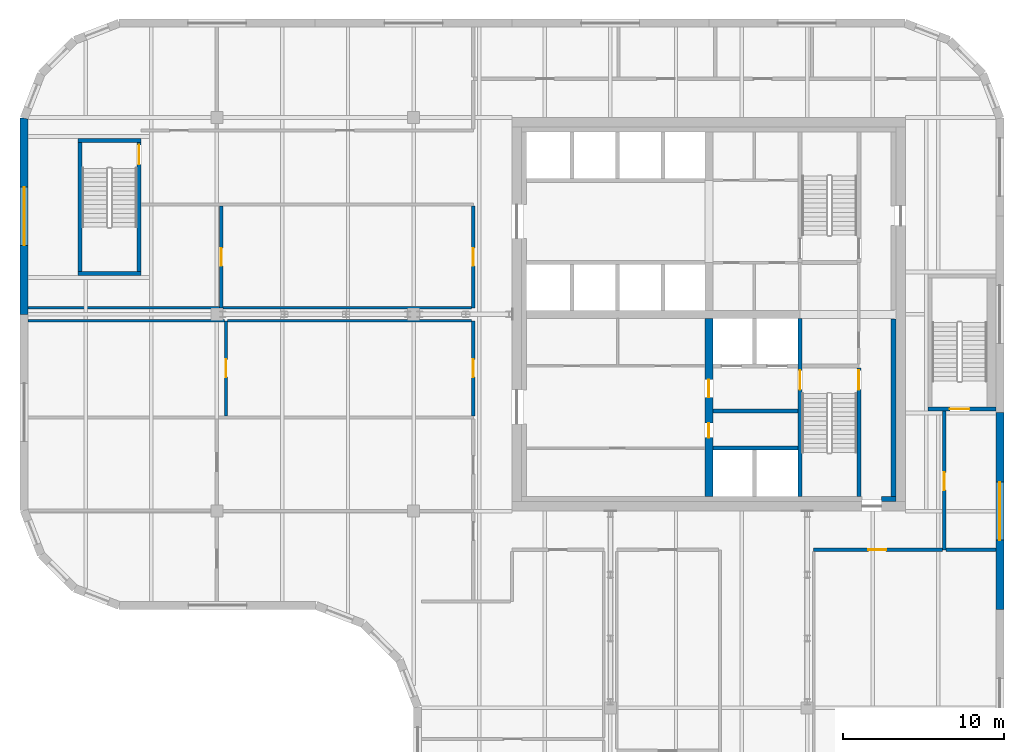
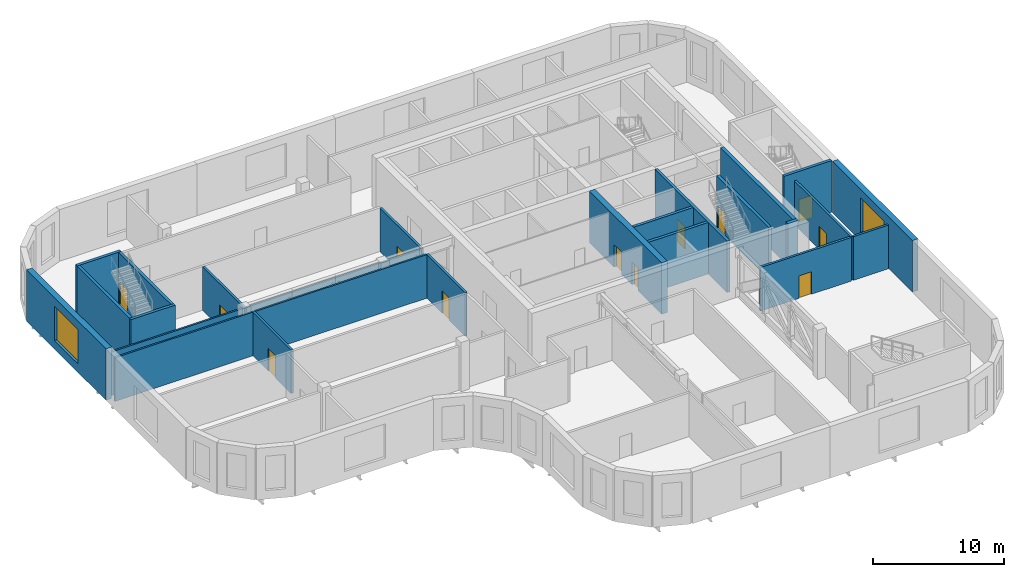
# One storey, part 7 of 12: 25 walls, 12 doors, 2 windows, 14 openings.
"""IFC4 building model written with IfcOpenShell, lengths in metres."""

from ifc_helpers import new_model, si_unit, direction, frame, frame_2d, origin, place, context, subcontext, project, spatial, polyline, rectangle, outline, extrude, faceted_brep, source, transform, mapped, material, layer, layer_set, type_object, element, fill, save


model = new_model("IFC4")

# Units and contexts
model_context = context("Model", 3, precision=1e-05, world=origin(), true_north=direction((0.0, 1.0)))
body_context = subcontext(model_context, "Body", "Model", "MODEL_VIEW")
ifc_project = project(units=[si_unit("LENGTHUNIT", "METRE"), si_unit("AREAUNIT", "SQUARE_METRE"), si_unit("VOLUMEUNIT", "CUBIC_METRE"), si_unit("PLANEANGLEUNIT", "RADIAN"), si_unit("MASSUNIT", "GRAM", prefix="KILO")], contexts=[model_context])

# Site, building, storey
site_placement = place(None, origin())
site = spatial("IfcSite", under=ifc_project, at=site_placement, CompositionType="ELEMENT")
building_placement = place(site_placement, origin())
building = spatial("IfcBuilding", under=site, at=building_placement, Name="Tessera Gate Towers", CompositionType="ELEMENT")
storey_placement = place(building_placement, frame((0.0, 0.0, 150.60009765625)))
storey = spatial("IfcBuildingStorey", under=building, at=storey_placement, Name="L37", CompositionType="ELEMENT", Elevation=150.60009765625)

# Walls
ifc_material_1 = material(Name="Gypsum board on steel studs, mineral wool", Category="steel")
ifc_layer_1 = layer(ifc_material_1, 0.14990234375)
ifc_layer_set_1 = layer_set([ifc_layer_1], Name="CHASE WALL 150")
wall_type_1 = type_object("IfcWallType", Name="CHASE WALL 150", PredefinedType="PARTITIONING", material=ifc_layer_set_1)
wall_1_placement = place(storey_placement, frame((0.5, 36.199951171875, 0.0), z_axis=(0.0, 0.0, 1.0), x_axis=(1.0, 0.0, 0.0)))
element("IfcWall", 1, at=wall_1_placement, inside=storey, type_object=wall_type_1, Name="T1-L37-PW-027", PredefinedType="PARTITIONING", context=body_context, shape_type="SweptSolid", body=[
    extrude(rectangle(XDim=12.174072265625, YDim=0.14990234375, at=frame_2d((6.0869140625, 0.0))), origin(), (0.0, 0.0, 1.0), 4.06689453125),
])
wall_2_placement = place(storey_placement, frame((12.8759765625, 36.199951171875, 0.0), z_axis=(0.0, 0.0, 1.0), x_axis=(1.0, 0.0, 0.0)))
element("IfcWall", 2, at=wall_2_placement, inside=storey, type_object=wall_type_1, Name="T1-L37-PW-028", PredefinedType="PARTITIONING", context=body_context, shape_type="SweptSolid", body=[
    extrude(rectangle(XDim=15.123046875, YDim=0.14990234375, at=frame_2d((7.5615234375, 0.0))), origin(), (0.0, 0.0, 1.0), 4.06689453125),
])
wall_3_placement = place(storey_placement, frame((0.5, 37.0, 0.0), z_axis=(0.0, 0.0, 1.0), x_axis=(1.0, 0.0, 0.0)))
element("IfcWall", 3, at=wall_3_placement, inside=storey, type_object=wall_type_1, Name="T1-L37-PW-029", PredefinedType="PARTITIONING", context=body_context, shape_type="SweptSolid", body=[
    extrude(rectangle(XDim=11.8740234375, YDim=0.14990234375, at=frame_2d((5.93701171875, 0.0))), origin(), (0.0, 0.0, 1.0), 4.06689453125),
])
wall_4_placement = place(storey_placement, frame((12.575927734375, 37.0, 0.0), z_axis=(0.0, 0.0, 1.0), x_axis=(1.0, 0.0, 0.0)))
element("IfcWall", 4, at=wall_4_placement, inside=storey, type_object=wall_type_1, Name="T1-L37-PW-031", PredefinedType="PARTITIONING", context=body_context, shape_type="SweptSolid", body=[
    extrude(rectangle(XDim=15.423095703125, YDim=0.14990234375, at=frame_2d((7.71142578125, 0.0))), origin(), (0.0, 0.0, 1.0), 4.06689453125),
])

# Wall, opening, door
ifc_material_2 = material(Name="Concrete C40/50", Category="concrete")
ifc_layer_2 = layer(ifc_material_2, 0.25)
ifc_layer_set_2 = layer_set([ifc_layer_2], Name="CORE ENCLOSURE WALL 250")
wall_type_2 = type_object("IfcWallType", Name="CORE ENCLOSURE WALL 250", PredefinedType="SOLIDWALL", material=ifc_layer_set_2)
wall_5_placement = place(storey_placement, frame((48.35009765625, 36.35009765625, 0.0), z_axis=(0.0, 0.0, 1.0), x_axis=(0.0, -1.0, 0.0)))
wall_5 = element("IfcWall", 5, at=wall_5_placement, inside=storey, type_object=wall_type_2, Name="L37 shaft and stair enclosure wall", PredefinedType="SOLIDWALL", context=body_context, shape_type="SweptSolid", body=[
    extrude(rectangle(XDim=11.050048828125, YDim=0.25, at=frame_2d((5.52490234375, 0.0))), origin(), (0.0, 0.0, 1.0), 4.7998046875),
])
shared_shape_1 = source(origin(), body_context, "Body", "SweptSolid", [
    extrude(rectangle(XDim=1.199951171875, YDim=2.10009765625, at=frame_2d((0.60009765625, 1.050048828125))), frame((0.0, 0.135009765625, 0.0), z_axis=(0.0, -1.0, 0.0), x_axis=(1.0, 0.0, 0.0)), (0.0, 0.0, 1.0), 0.27001953125),
])
opening_1_placement = place(wall_5_placement, frame((3.22509765625, 0.0, 0.0)))
opening_1 = element("IfcOpeningElement", 6, at=opening_1_placement, cuts=wall_5, Name="Opening SD-ST1-1", PredefinedType="OPENING", context=body_context, shape_type="MappedRepresentation", body=[
    mapped(shared_shape_1, transform((0.0, 0.0, 0.0), scale=1.0)),
])
ifc_material_3 = material(Name="Hollow steel fire door", Category="steel")
door_type_1 = type_object("IfcDoorType", Name="CORE DOOR SD 1200x2100", OperationType="NOTDEFINED", PredefinedType="DOOR", material=ifc_material_3)
shared_shape_2 = source(origin(), body_context, "Body", "SweptSolid", [
    extrude(rectangle(XDim=1.199951171875, YDim=2.10009765625, at=frame_2d((0.60009765625, 1.050048828125))), frame((0.0, 0.02490234375, 0.0), z_axis=(0.0, -1.0, 0.0), x_axis=(1.0, 0.0, 0.0)), (0.0, 0.0, 1.0), 0.050048828125),
])
door_1_placement = place(opening_1_placement, origin())
door_1 = element("IfcDoor", 7, at=door_1_placement, inside=storey, type_object=door_type_1, Name="Stair door", OperationType="SINGLE_SWING_LEFT", OverallHeight=2.10009765625, OverallWidth=1.199951171875, PredefinedType="DOOR", context=body_context, shape_type="MappedRepresentation", body=[
    mapped(shared_shape_2, transform((0.0, 0.0, 0.0), scale=1.0)),
])
fill(opening_1, door_1)

wall_6_placement = place(storey_placement, frame((52.0, 25.300048828125, 0.0), z_axis=(0.0, 0.0, 1.0), x_axis=(0.0, 1.0, 0.0)))
wall_6 = element("IfcWall", 8, at=wall_6_placement, inside=storey, type_object=wall_type_2, Name="L37 shaft and stair enclosure wall", PredefinedType="SOLIDWALL", context=body_context, shape_type="SweptSolid", body=[
    extrude(rectangle(XDim=7.974853515625, YDim=0.25, at=frame_2d((3.9873046875, 0.0))), origin(), (0.0, 0.0, 1.0), 4.7998046875),
])
opening_2_placement = place(wall_6_placement, frame((6.625, 0.0, 0.0)))
opening_2 = element("IfcOpeningElement", 9, at=opening_2_placement, cuts=wall_6, Name="Opening SD-ST1-2", PredefinedType="OPENING", context=body_context, shape_type="MappedRepresentation", body=[
    mapped(shared_shape_1, transform((0.0, 0.0, 0.0), scale=1.0)),
])
door_2_placement = place(opening_2_placement, origin())
door_2 = element("IfcDoor", 10, at=door_2_placement, inside=storey, type_object=door_type_1, Name="Stair door", OperationType="SINGLE_SWING_RIGHT", OverallHeight=2.10009765625, OverallWidth=1.199951171875, PredefinedType="DOOR", context=body_context, shape_type="MappedRepresentation", body=[
    mapped(shared_shape_2, transform((0.0, 0.0, 0.0), scale=1.0)),
])
fill(opening_2, door_2)

# Walls
for number, where, z_axis, x_axis, name in (
    (11, (42.949951171875, 28.300048828125, 0.0), (0.0, 0.0, 1.0), (1.0, 0.0, 0.0), "L37 shaft and stair enclosure wall"),
    (12, (42.949951171875, 30.60009765625, 0.0), (0.0, 0.0, 1.0), (1.0, 0.0, 0.0), "L37 shaft and stair enclosure wall"),
):
    element("IfcWall", number, at=place(storey_placement, frame(where, z_axis=z_axis, x_axis=x_axis)), inside=storey, type_object=wall_type_2, Name=name, PredefinedType="SOLIDWALL", context=body_context, shape_type="SweptSolid", body=[
        extrude(rectangle(XDim=5.275146484375, YDim=0.25, at=frame_2d((2.6376953125, 0.0))), origin(), (0.0, 0.0, 1.0), 4.7998046875),
    ])
wall_7_placement = place(storey_placement, frame((7.5, 39.125, 0.0), z_axis=(0.0, 0.0, 1.0), x_axis=(-1.0, 0.0, 0.0)))
element("IfcWall", 13, at=wall_7_placement, inside=storey, type_object=wall_type_2, Name="L37 ST3 enclosure wall", PredefinedType="SOLIDWALL", context=body_context, shape_type="SweptSolid", body=[
    extrude(rectangle(XDim=3.89990234375, YDim=0.25, at=frame_2d((1.949951171875, 0.0))), origin(), (0.0, 0.0, 1.0), 4.7998046875),
])
wall_8_placement = place(storey_placement, frame((3.72509765625, 39.25, 0.0), z_axis=(0.0, 0.0, 1.0), x_axis=(0.0, 1.0, 0.0)))
element("IfcWall", 14, at=wall_8_placement, inside=storey, type_object=wall_type_2, Name="L37 ST3 enclosure wall", PredefinedType="SOLIDWALL", context=body_context, shape_type="SweptSolid", body=[
    extrude(rectangle(XDim=8.0, YDim=0.25, at=frame_2d((4.0, 0.0))), origin(), (0.0, 0.0, 1.0), 4.7998046875),
])
wall_9_placement = place(storey_placement, frame((3.60009765625, 47.375, 0.0), z_axis=(0.0, 0.0, 1.0), x_axis=(1.0, 0.0, 0.0)))
element("IfcWall", 15, at=wall_9_placement, inside=storey, type_object=wall_type_2, Name="L37 ST3 enclosure wall", PredefinedType="SOLIDWALL", context=body_context, shape_type="SweptSolid", body=[
    extrude(rectangle(XDim=3.89990234375, YDim=0.25, at=frame_2d((1.949951171875, 0.0))), origin(), (0.0, 0.0, 1.0), 4.7998046875),
])

# Wall, opening, door
wall_10_placement = place(storey_placement, frame((7.375, 47.25, 0.0), z_axis=(0.0, 0.0, 1.0), x_axis=(0.0, -1.0, 0.0)))
wall_10 = element("IfcWall", 16, at=wall_10_placement, inside=storey, type_object=wall_type_2, Name="L37 ST3 enclosure wall", PredefinedType="SOLIDWALL", context=body_context, shape_type="SweptSolid", body=[
    extrude(rectangle(XDim=8.0, YDim=0.25, at=frame_2d((4.0, 0.0))), origin(), (0.0, 0.0, 1.0), 4.7998046875),
])
opening_3_placement = place(wall_10_placement, frame((0.14990234375, 0.0, 0.0)))
opening_3 = element("IfcOpeningElement", 17, at=opening_3_placement, cuts=wall_10, Name="Opening SD-ST3-1", PredefinedType="OPENING", context=body_context, shape_type="MappedRepresentation", body=[
    mapped(shared_shape_1, transform((0.0, 0.0, 0.0), scale=1.0)),
])
door_3_placement = place(opening_3_placement, origin())
door_3 = element("IfcDoor", 18, at=door_3_placement, inside=storey, type_object=door_type_1, Name="Stair door", OperationType="SINGLE_SWING_LEFT", OverallHeight=2.10009765625, OverallWidth=1.199951171875, PredefinedType="DOOR", context=body_context, shape_type="MappedRepresentation", body=[
    mapped(shared_shape_2, transform((0.0, 0.0, 0.0), scale=1.0)),
])
fill(opening_3, door_3)

wall_11_placement = place(storey_placement, frame((60.5, 30.72509765625, 0.0), z_axis=(0.0, 0.0, 1.0), x_axis=(-1.0, 0.0, 0.0)))
wall_11 = element("IfcWall", 19, at=wall_11_placement, inside=storey, type_object=wall_type_2, Name="L37 ST5 enclosure wall", PredefinedType="SOLIDWALL", context=body_context, shape_type="SweptSolid", body=[
    extrude(rectangle(XDim=4.199951171875, YDim=0.25, at=frame_2d((2.10009765625, 0.0))), origin(), (0.0, 0.0, 1.0), 4.7998046875),
])
opening_4_placement = place(wall_11_placement, frame((1.64990234375, 0.0, 0.0)))
opening_4 = element("IfcOpeningElement", 20, at=opening_4_placement, cuts=wall_11, Name="Opening SD-ST5-1", PredefinedType="OPENING", context=body_context, shape_type="MappedRepresentation", body=[
    mapped(shared_shape_1, transform((0.0, 0.0, 0.0), scale=1.0)),
])
door_4_placement = place(opening_4_placement, origin())
door_4 = element("IfcDoor", 21, at=door_4_placement, inside=storey, type_object=door_type_1, Name="Stair door", OperationType="SINGLE_SWING_RIGHT", OverallHeight=2.10009765625, OverallWidth=1.199951171875, PredefinedType="DOOR", context=body_context, shape_type="MappedRepresentation", body=[
    mapped(shared_shape_2, transform((0.0, 0.0, 0.0), scale=1.0)),
])
fill(opening_4, door_4)

# Wall, openings, doors
ifc_material_4 = material(Name="Concrete C50/60", Category="concrete")
ifc_layer_3 = layer(ifc_material_4, 0.5)
ifc_layer_set_3 = layer_set([ifc_layer_3], Name="CORE SPINE WALL 500 C50/60")
wall_type_3 = type_object("IfcWallType", Name="CORE SPINE WALL 500 C50/60", PredefinedType="SHEAR", material=ifc_layer_set_3)
wall_12_placement = place(storey_placement, frame((42.699951171875, 36.35009765625, 0.0), z_axis=(0.0, 0.0, 1.0), x_axis=(0.0, -1.0, 0.0)))
wall_12 = element("IfcWall", 22, at=wall_12_placement, inside=storey, type_object=wall_type_3, Name="Core wall spine L37", PredefinedType="SHEAR", context=body_context, shape_type="SweptSolid", body=[
    extrude(rectangle(XDim=11.050048828125, YDim=0.5, at=frame_2d((5.52490234375, 0.0))), origin(), (0.0, 0.0, 1.0), 4.7998046875),
])
shared_shape_3 = source(origin(), body_context, "Body", "SweptSolid", [
    extrude(rectangle(XDim=0.89990234375, YDim=2.10009765625, at=frame_2d((0.449951171875, 1.050048828125))), frame((0.0, 0.260009765625, 0.0), z_axis=(0.0, -1.0, 0.0), x_axis=(1.0, 0.0, 0.0)), (0.0, 0.0, 1.0), 0.52001953125),
])
opening_5_placement = place(wall_12_placement, frame((6.5, 0.0, 0.0)))
opening_5 = element("IfcOpeningElement", 23, at=opening_5_placement, cuts=wall_12, Name="Opening RD-T1-24-05", PredefinedType="OPENING", context=body_context, shape_type="MappedRepresentation", body=[
    mapped(shared_shape_3, transform((0.0, 0.0, 0.0), scale=1.0)),
])
shared_shape_4 = source(origin(), body_context, "Body", "SweptSolid", [
    extrude(rectangle(XDim=1.10009765625, YDim=2.10009765625, at=frame_2d((0.550048828125, 1.050048828125))), frame((0.0, 0.260009765625, 0.0), z_axis=(0.0, -1.0, 0.0), x_axis=(1.0, 0.0, 0.0)), (0.0, 0.0, 1.0), 0.52001953125),
])
opening_6_placement = place(wall_12_placement, frame((3.800048828125, 0.0, 0.0)))
opening_6 = element("IfcOpeningElement", 24, at=opening_6_placement, cuts=wall_12, Name="Opening FD-T1-24-06", PredefinedType="OPENING", context=body_context, shape_type="MappedRepresentation", body=[
    mapped(shared_shape_4, transform((0.0, 0.0, 0.0), scale=1.0)),
])
ifc_material_5 = material(Name="Hollow steel fire door", Category="steel")
door_type_2 = type_object("IfcDoorType", Name="CORE DOOR RD 900x2100", OperationType="NOTDEFINED", PredefinedType="DOOR", material=ifc_material_5)
shared_shape_5 = source(origin(), body_context, "Body", "SweptSolid", [
    extrude(rectangle(XDim=0.89990234375, YDim=2.10009765625, at=frame_2d((0.449951171875, 1.050048828125))), frame((0.0, 0.02490234375, 0.0), z_axis=(0.0, -1.0, 0.0), x_axis=(1.0, 0.0, 0.0)), (0.0, 0.0, 1.0), 0.050048828125),
])
door_5_placement = place(opening_5_placement, origin())
door_5 = element("IfcDoor", 25, at=door_5_placement, inside=storey, type_object=door_type_2, Name="Core room door", OperationType="SINGLE_SWING_RIGHT", OverallHeight=2.10009765625, OverallWidth=0.89990234375, PredefinedType="DOOR", context=body_context, shape_type="MappedRepresentation", body=[
    mapped(shared_shape_5, transform((0.0, 0.0, 0.0), scale=1.0)),
])
fill(opening_5, door_5)
ifc_material_6 = material(Name="Hollow steel fire door", Category="steel")
door_type_3 = type_object("IfcDoorType", Name="CORE DOOR FD 1100x2100", OperationType="NOTDEFINED", PredefinedType="DOOR", material=ifc_material_6)
shared_shape_6 = source(origin(), body_context, "Body", "SweptSolid", [
    extrude(rectangle(XDim=1.10009765625, YDim=2.10009765625, at=frame_2d((0.550048828125, 1.050048828125))), frame((0.0, 0.02490234375, 0.0), z_axis=(0.0, -1.0, 0.0), x_axis=(1.0, 0.0, 0.0)), (0.0, 0.0, 1.0), 0.050048828125),
])
door_6_placement = place(opening_6_placement, origin())
door_6 = element("IfcDoor", 26, at=door_6_placement, inside=storey, type_object=door_type_3, Name="Fire-fighting lobby door", OperationType="SINGLE_SWING_LEFT", OverallHeight=2.10009765625, OverallWidth=1.10009765625, PredefinedType="DOOR", context=body_context, shape_type="MappedRepresentation", body=[
    mapped(shared_shape_6, transform((0.0, 0.0, 0.0), scale=1.0)),
])
fill(opening_6, door_6)

# Walls
ifc_material_7 = material(Name="Concrete C50/60", Category="concrete")
ifc_layer_4 = layer(ifc_material_7, 0.300048828125)
ifc_layer_set_4 = layer_set([ifc_layer_4], Name="CORE WALL THICKENING 300")
wall_type_4 = type_object("IfcWallType", Name="CORE WALL THICKENING 300", PredefinedType="SOLIDWALL", material=ifc_layer_set_4)
wall_13_placement = place(storey_placement, frame((53.39990234375, 25.14990234375, 0.0), z_axis=(0.0, 0.0, 1.0), x_axis=(1.0, 0.0, 0.0)))
element("IfcWall", 27, at=wall_13_placement, inside=storey, type_object=wall_type_4, Name="Core wall thickening S L37", PredefinedType="SOLIDWALL", context=body_context, shape_type="SweptSolid", body=[
    extrude(rectangle(XDim=0.900146484375, YDim=0.300048828125, at=frame_2d((0.4501953125, 0.0))), origin(), (0.0, 0.0, 1.0), 4.7998046875),
])
wall_14_placement = place(storey_placement, frame((54.14990234375, 25.300048828125, 0.0), z_axis=(0.0, 0.0, 1.0), x_axis=(0.0, 1.0, 0.0)))
element("IfcWall", 28, at=wall_14_placement, inside=storey, type_object=wall_type_4, Name="Core wall thickening E L37", PredefinedType="SOLIDWALL", context=body_context, shape_type="SweptSolid", body=[
    extrude(rectangle(XDim=11.02001953125, YDim=0.300048828125, at=frame_2d((5.510009765625, 0.0))), origin(), (0.0, 0.0, 1.0), 4.7998046875),
])

# Wall, opening, door
ifc_material_8 = material(Name="Concrete masonry unit", Category="masonry")
ifc_layer_5 = layer(ifc_material_8, 0.199951171875)
ifc_layer_set_5 = layer_set([ifc_layer_5], Name="PLANT WALL 200")
wall_type_5 = type_object("IfcWallType", Name="PLANT WALL 200", PredefinedType="PARTITIONING", material=ifc_layer_set_5)
wall_15_placement = place(storey_placement, frame((57.198974609375, 22.0, 0.0), z_axis=(0.0, 0.0, 1.0), x_axis=(-1.0, 0.0, 0.0)))
wall_15 = element("IfcWall", 29, at=wall_15_placement, inside=storey, type_object=wall_type_5, Name="T1-L37-PW-016", PredefinedType="PARTITIONING", context=body_context, shape_type="SweptSolid", body=[
    extrude(rectangle(XDim=7.9990234375, YDim=0.199951171875, at=frame_2d((3.99951171875, 0.0))), origin(), (0.0, 0.0, 1.0), 4.06689453125),
])
shared_shape_7 = source(origin(), body_context, "Body", "SweptSolid", [
    extrude(rectangle(XDim=1.10009765625, YDim=2.10009765625, at=frame_2d((0.550048828125, 1.050048828125))), frame((0.0, 0.10986328125, 0.0), z_axis=(0.0, -1.0, 0.0), x_axis=(1.0, 0.0, 0.0)), (0.0, 0.0, 1.0), 0.219970703125),
])
opening_7_placement = place(wall_15_placement, frame((3.4990234375, 0.0, 0.0)))
opening_7 = element("IfcOpeningElement", 30, at=opening_7_placement, cuts=wall_15, Name="Opening D5110FD90-A31-15", PredefinedType="OPENING", context=body_context, shape_type="MappedRepresentation", body=[
    mapped(shared_shape_7, transform((0.0, 0.0, 0.0), scale=1.0)),
])
ifc_material_9 = material(Name="Timber door leaf in steel frame", Category="steel")
door_type_4 = type_object("IfcDoorType", Name="PLANT DOOR 1100 FD90", OperationType="NOTDEFINED", PredefinedType="DOOR", material=ifc_material_9)
door_7_placement = place(opening_7_placement, origin())
door_7 = element("IfcDoor", 31, at=door_7_placement, inside=storey, type_object=door_type_4, Name="T1-L37-PD-015", OperationType="SINGLE_SWING_RIGHT", OverallHeight=2.10009765625, OverallWidth=1.10009765625, PredefinedType="DOOR", context=body_context, shape_type="MappedRepresentation", body=[
    mapped(shared_shape_6, transform((0.0, 0.0, 0.0), scale=1.0)),
])
fill(opening_7, door_7)

wall_16_placement = place(storey_placement, frame((57.300048828125, 30.60009765625, 0.0), z_axis=(0.0, 0.0, 1.0), x_axis=(0.0, -1.0, 0.0)))
wall_16 = element("IfcWall", 32, at=wall_16_placement, inside=storey, type_object=wall_type_5, Name="T1-L37-PW-017", PredefinedType="PARTITIONING", context=body_context, shape_type="SweptSolid", body=[
    extrude(rectangle(XDim=8.60009765625, YDim=0.199951171875, at=frame_2d((4.300048828125, 0.0))), origin(), (0.0, 0.0, 1.0), 4.06689453125),
])
opening_8_placement = place(wall_16_placement, frame((3.800048828125, 0.0, 0.0)))
opening_8 = element("IfcOpeningElement", 33, at=opening_8_placement, cuts=wall_16, Name="Opening D5110FD90-A31-16", PredefinedType="OPENING", context=body_context, shape_type="MappedRepresentation", body=[
    mapped(shared_shape_7, transform((0.0, 0.0, 0.0), scale=1.0)),
])
door_8_placement = place(opening_8_placement, origin())
door_8 = element("IfcDoor", 34, at=door_8_placement, inside=storey, type_object=door_type_4, Name="T1-L37-PD-016", OperationType="SINGLE_SWING_RIGHT", OverallHeight=2.10009765625, OverallWidth=1.10009765625, PredefinedType="DOOR", context=body_context, shape_type="MappedRepresentation", body=[
    mapped(shared_shape_6, transform((0.0, 0.0, 0.0), scale=1.0)),
])
fill(opening_8, door_8)

# Wall
wall_17_placement = place(storey_placement, frame((57.40087890625, 22.0, 0.0), z_axis=(0.0, 0.0, 1.0), x_axis=(1.0, 0.0, 0.0)))
element("IfcWall", 35, at=wall_17_placement, inside=storey, type_object=wall_type_5, Name="T1-L37-PW-018", PredefinedType="PARTITIONING", context=body_context, shape_type="SweptSolid", body=[
    extrude(rectangle(XDim=3.09912109375, YDim=0.199951171875, at=frame_2d((1.549560546875, 0.0))), origin(), (0.0, 0.0, 1.0), 4.06689453125),
])

# Wall, opening, door
wall_18_placement = place(storey_placement, frame((12.77490234375, 30.301025390625, 0.0), z_axis=(0.0, 0.0, 1.0), x_axis=(0.0, 1.0, 0.0)))
wall_18 = element("IfcWall", 36, at=wall_18_placement, inside=storey, type_object=wall_type_5, Name="T1-L37-PW-025", PredefinedType="PARTITIONING", context=body_context, shape_type="SweptSolid", body=[
    extrude(rectangle(XDim=5.89892578125, YDim=0.199951171875, at=frame_2d((2.949462890625, 0.0))), origin(), (0.0, 0.0, 1.0), 4.06689453125),
])
opening_9_placement = place(wall_18_placement, frame((2.39990234375, 0.0, 0.0)))
opening_9 = element("IfcOpeningElement", 37, at=opening_9_placement, cuts=wall_18, Name="Opening D5110FD90-A31-08", PredefinedType="OPENING", context=body_context, shape_type="MappedRepresentation", body=[
    mapped(shared_shape_7, transform((0.0, 0.0, 0.0), scale=1.0)),
])
door_9_placement = place(opening_9_placement, origin())
door_9 = element("IfcDoor", 38, at=door_9_placement, inside=storey, type_object=door_type_4, Name="T1-L37-PD-008", OperationType="SINGLE_SWING_LEFT", OverallHeight=2.10009765625, OverallWidth=1.10009765625, PredefinedType="DOOR", context=body_context, shape_type="MappedRepresentation", body=[
    mapped(shared_shape_6, transform((0.0, 0.0, 0.0), scale=1.0)),
])
fill(opening_9, door_9)

wall_19_placement = place(storey_placement, frame((28.10009765625, 30.301025390625, 0.0), z_axis=(0.0, 0.0, 1.0), x_axis=(0.0, 1.0, 0.0)))
wall_19 = element("IfcWall", 39, at=wall_19_placement, inside=storey, type_object=wall_type_5, Name="T1-L37-PW-026", PredefinedType="PARTITIONING", context=body_context, shape_type="SweptSolid", body=[
    extrude(rectangle(XDim=5.89892578125, YDim=0.199951171875, at=frame_2d((2.949462890625, 0.0))), origin(), (0.0, 0.0, 1.0), 4.06689453125),
])
opening_10_placement = place(wall_19_placement, frame((2.39990234375, 0.0, 0.0)))
opening_10 = element("IfcOpeningElement", 40, at=opening_10_placement, cuts=wall_19, Name="Opening D5110FD90-A31-07", PredefinedType="OPENING", context=body_context, shape_type="MappedRepresentation", body=[
    mapped(shared_shape_7, transform((0.0, 0.0, 0.0), scale=1.0)),
])
door_10_placement = place(opening_10_placement, origin())
door_10 = element("IfcDoor", 41, at=door_10_placement, inside=storey, type_object=door_type_4, Name="T1-L37-PD-007", OperationType="SINGLE_SWING_LEFT", OverallHeight=2.10009765625, OverallWidth=1.10009765625, PredefinedType="DOOR", context=body_context, shape_type="MappedRepresentation", body=[
    mapped(shared_shape_6, transform((0.0, 0.0, 0.0), scale=1.0)),
])
fill(opening_10, door_10)

wall_20_placement = place(storey_placement, frame((12.47509765625, 37.0, 0.0), z_axis=(0.0, 0.0, 1.0), x_axis=(0.0, 1.0, 0.0)))
wall_20 = element("IfcWall", 42, at=wall_20_placement, inside=storey, type_object=wall_type_5, Name="T1-L37-PW-030", PredefinedType="PARTITIONING", context=body_context, shape_type="SweptSolid", body=[
    extrude(rectangle(XDim=6.299072265625, YDim=0.199951171875, at=frame_2d((3.1494140625, 0.0))), origin(), (0.0, 0.0, 1.0), 4.06689453125),
])
opening_11_placement = place(wall_20_placement, frame((2.60009765625, 0.0, 0.0)))
opening_11 = element("IfcOpeningElement", 43, at=opening_11_placement, cuts=wall_20, Name="Opening D5110FD90-A31-12", PredefinedType="OPENING", context=body_context, shape_type="MappedRepresentation", body=[
    mapped(shared_shape_7, transform((0.0, 0.0, 0.0), scale=1.0)),
])
door_11_placement = place(opening_11_placement, origin())
door_11 = element("IfcDoor", 44, at=door_11_placement, inside=storey, type_object=door_type_4, Name="T1-L37-PD-012", OperationType="SINGLE_SWING_LEFT", OverallHeight=2.10009765625, OverallWidth=1.10009765625, PredefinedType="DOOR", context=body_context, shape_type="MappedRepresentation", body=[
    mapped(shared_shape_6, transform((0.0, 0.0, 0.0), scale=1.0)),
])
fill(opening_11, door_11)

wall_21_placement = place(storey_placement, frame((28.10009765625, 37.0, 0.0), z_axis=(0.0, 0.0, 1.0), x_axis=(0.0, 1.0, 0.0)))
wall_21 = element("IfcWall", 45, at=wall_21_placement, inside=storey, type_object=wall_type_5, Name="T1-L37-PW-032", PredefinedType="PARTITIONING", context=body_context, shape_type="SweptSolid", body=[
    extrude(rectangle(XDim=6.299072265625, YDim=0.199951171875, at=frame_2d((3.1494140625, 0.0))), origin(), (0.0, 0.0, 1.0), 4.06689453125),
])
opening_12_placement = place(wall_21_placement, frame((2.60009765625, 0.0, 0.0)))
opening_12 = element("IfcOpeningElement", 46, at=opening_12_placement, cuts=wall_21, Name="Opening D5110FD90-A31-11", PredefinedType="OPENING", context=body_context, shape_type="MappedRepresentation", body=[
    mapped(shared_shape_7, transform((0.0, 0.0, 0.0), scale=1.0)),
])
door_12_placement = place(opening_12_placement, origin())
door_12 = element("IfcDoor", 47, at=door_12_placement, inside=storey, type_object=door_type_4, Name="T1-L37-PD-011", OperationType="SINGLE_SWING_LEFT", OverallHeight=2.10009765625, OverallWidth=1.10009765625, PredefinedType="DOOR", context=body_context, shape_type="MappedRepresentation", body=[
    mapped(shared_shape_6, transform((0.0, 0.0, 0.0), scale=1.0)),
])
fill(opening_12, door_12)

# Wall, opening, window
ifc_material_10 = material(Name="Precast concrete C60/75 white", Category="concrete")
ifc_layer_6 = layer(ifc_material_10, 0.5)
ifc_layer_set_6 = layer_set([ifc_layer_6], Name="RB1 ring band panel")
wall_type_6 = type_object("IfcWallType", Name="RB1 ring band panel", PredefinedType="SOLIDWALL", material=ifc_layer_set_6)
shared_shape_8 = source(origin(), body_context, "Body", "Brep", [
    faceted_brep([(0.0, -0.25, 0.0), (12.153564453125, -0.25, 0.0), (12.153564453125, -0.25, 4.7998046875), (0.0, -0.25, 4.7998046875), (0.046630859375, 0.25, 4.7998046875), (12.153564453125, 0.25, 4.7998046875), (12.153564453125, 0.25, 0.0), (0.046630859375, 0.25, 0.0), (0.0, 0.0, 0.0), (0.0, 0.0, 4.7998046875)], [[[0, 1, 2, 3]], [[4, 5, 6, 7]], [[7, 6, 1, 0, 8]], [[5, 4, 9, 3, 2]], [[8, 0, 3, 9]], [[7, 8, 9, 4]], [[1, 6, 5, 2]]]),
])
wall_22_placement = place(storey_placement, frame((0.25, 48.75341796875, 0.0), z_axis=(0.0, 0.0, 1.0), x_axis=(0.0, -1.0, 0.0)))
wall_22 = element("IfcWall", 48, at=wall_22_placement, inside=storey, type_object=wall_type_6, Name="Ring band panel T1 RB1-0052", PredefinedType="SOLIDWALL", context=body_context, shape_type="MappedRepresentation", body=[
    mapped(shared_shape_8, transform((0.0, 0.0, 0.0), scale=1.0)),
])
shared_shape_9 = source(origin(), body_context, "Body", "SweptSolid", [
    extrude(outline(polyline([(4.276611328125, 0.7998046875), (7.876708984375, 0.7998046875), (7.876708984375, 4.0), (4.276611328125, 4.0), (4.276611328125, 0.7998046875)])), frame((0.0, 0.260009765625, 0.0), z_axis=(0.0, -1.0, 0.0), x_axis=(1.0, 0.0, 0.0)), (0.0, 0.0, 1.0), 0.52001953125),
])
opening_13_placement = place(wall_22_placement, origin())
opening_13 = element("IfcOpeningElement", 49, at=opening_13_placement, cuts=wall_22, Name="Opening T1-WN-LV1-0052", PredefinedType="OPENING", context=body_context, shape_type="MappedRepresentation", body=[
    mapped(shared_shape_9, transform((0.0, 0.0, 0.0), scale=1.0)),
])
ifc_material_11 = material(Name="Aluminium louvre", Category="aluminium")
ifc_layer_7 = layer(ifc_material_11, 0.06005859375)
ifc_layer_set_7 = layer_set([ifc_layer_7], Name="LV1 louvre")
window_type = type_object("IfcWindowType", Name="LV1 louvre", PartitioningType="USERDEFINED", PredefinedType="WINDOW", material=ifc_layer_set_7)
shared_shape_10 = source(origin(), body_context, "Body", "SweptSolid", [
    extrude(outline(polyline([(4.276611328125, 0.7998046875), (7.876708984375, 0.7998046875), (7.876708984375, 4.0), (4.276611328125, 4.0), (4.276611328125, 0.7998046875)])), frame((0.0, 0.030029296875, 0.0), z_axis=(0.0, -1.0, 0.0), x_axis=(1.0, 0.0, 0.0)), (0.0, 0.0, 1.0), 0.06005859375),
])
window_1_placement = place(opening_13_placement, origin())
window_1 = element("IfcWindow", 50, at=window_1_placement, inside=storey, type_object=window_type, Name="Louvre T1 WN-LV1-0052", OverallHeight=3.2001953125, OverallWidth=3.60009765625, PartitioningType="USERDEFINED", PredefinedType="WINDOW", context=body_context, shape_type="MappedRepresentation", body=[
    mapped(shared_shape_10, transform((0.0, 0.0, 0.0), scale=1.0)),
])
fill(opening_13, window_1)

shared_shape_11 = source(origin(), body_context, "Body", "SweptSolid", [
    extrude(outline(polyline([(0.0, 0.0), (12.199951171875, 0.0), (12.199951171875, 4.7998046875), (0.0, 4.7998046875), (0.0, 0.0)])), frame((0.0, 0.25, 0.0), z_axis=(0.0, -1.0, 0.0), x_axis=(1.0, 0.0, 0.0)), (0.0, 0.0, 1.0), 0.5),
])
wall_23_placement = place(storey_placement, frame((60.75, 18.300048828125, 0.0), z_axis=(0.0, 0.0, 1.0), x_axis=(0.0, 1.0, 0.0)))
wall_23 = element("IfcWall", 51, at=wall_23_placement, inside=storey, type_object=wall_type_6, Name="Ring band panel T1 RB1-0039", PredefinedType="SOLIDWALL", context=body_context, shape_type="MappedRepresentation", body=[
    mapped(shared_shape_11, transform((0.0, 0.0, 0.0), scale=1.0)),
])
shared_shape_12 = source(origin(), body_context, "Body", "SweptSolid", [
    extrude(outline(polyline([(4.300048828125, 0.7998046875), (7.89990234375, 0.7998046875), (7.89990234375, 4.0), (4.300048828125, 4.0), (4.300048828125, 0.7998046875)])), frame((0.0, 0.260009765625, 0.0), z_axis=(0.0, -1.0, 0.0), x_axis=(1.0, 0.0, 0.0)), (0.0, 0.0, 1.0), 0.52001953125),
])
opening_14_placement = place(wall_23_placement, origin())
opening_14 = element("IfcOpeningElement", 52, at=opening_14_placement, cuts=wall_23, Name="Opening T1-WN-LV1-0039", PredefinedType="OPENING", context=body_context, shape_type="MappedRepresentation", body=[
    mapped(shared_shape_12, transform((0.0, 0.0, 0.0), scale=1.0)),
])
shared_shape_13 = source(origin(), body_context, "Body", "SweptSolid", [
    extrude(outline(polyline([(4.300048828125, 0.7998046875), (7.89990234375, 0.7998046875), (7.89990234375, 4.0), (4.300048828125, 4.0), (4.300048828125, 0.7998046875)])), frame((0.0, 0.030029296875, 0.0), z_axis=(0.0, -1.0, 0.0), x_axis=(1.0, 0.0, 0.0)), (0.0, 0.0, 1.0), 0.06005859375),
])
window_2_placement = place(opening_14_placement, origin())
window_2 = element("IfcWindow", 53, at=window_2_placement, inside=storey, type_object=window_type, Name="Louvre T1 WN-LV1-0039", OverallHeight=3.2001953125, OverallWidth=3.599853515625, PartitioningType="USERDEFINED", PredefinedType="WINDOW", context=body_context, shape_type="MappedRepresentation", body=[
    mapped(shared_shape_13, transform((0.0, 0.0, 0.0), scale=1.0)),
])
fill(opening_14, window_2)

save(model, "model.ifc")
